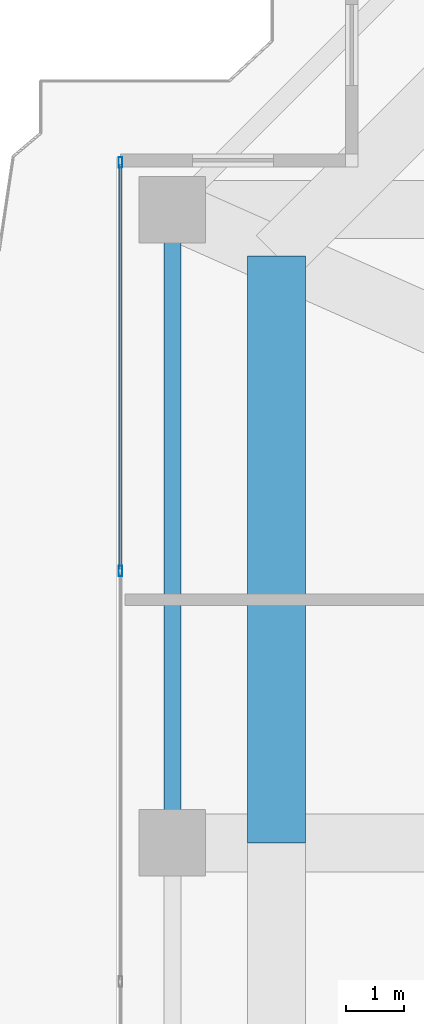
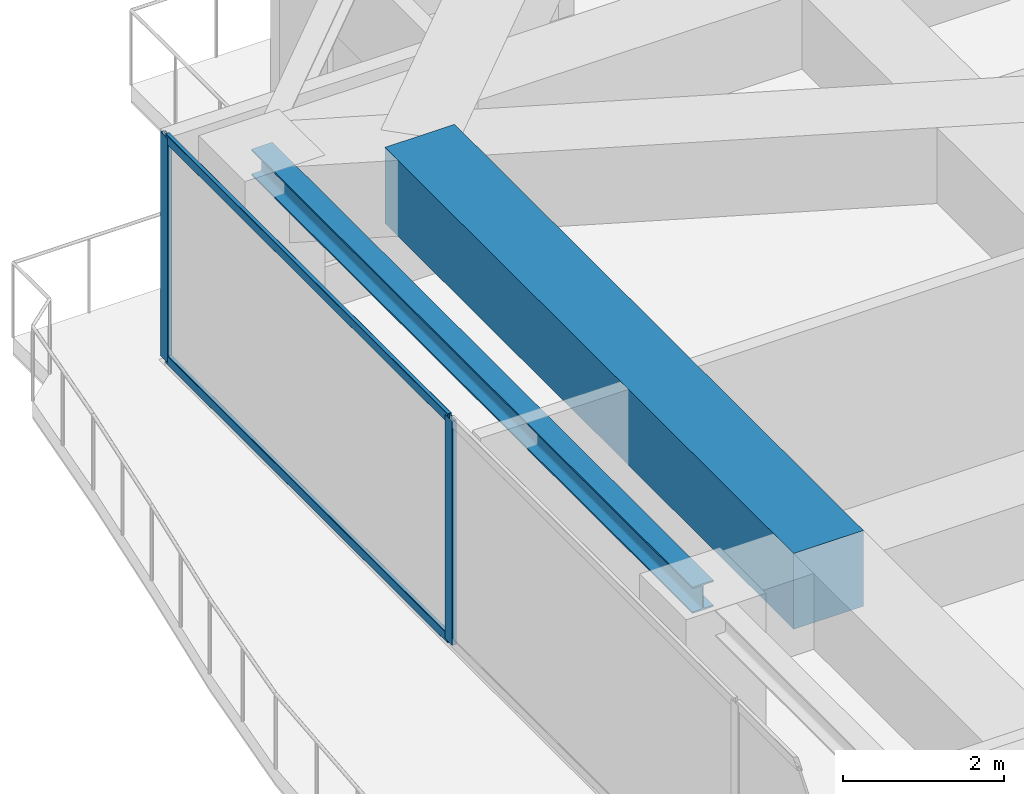
# One storey, part 20 of 39: 4 members, 2 beams, 1 element without a shape of its own.
"""IFC4 building model written with IfcOpenShell, lengths in metres."""

from ifc_helpers import new_model, si_unit, direction, frame, origin, origin_2d, place, context, subcontext, project, spatial, rectangle, hollow_rectangle, i_section, extrude, source, transform, mapped, material, layer, layer_set, material_profile, profile_set, type_object, element, aggregate, save


model = new_model("IFC4")

# Units and contexts
model_context = context("Model", 3, precision=1e-05, world=origin(), true_north=direction((0.0, 1.0)))
body_context = subcontext(model_context, "Body", "Model", "MODEL_VIEW")
ifc_project = project(units=[si_unit("LENGTHUNIT", "METRE"), si_unit("AREAUNIT", "SQUARE_METRE"), si_unit("VOLUMEUNIT", "CUBIC_METRE"), si_unit("PLANEANGLEUNIT", "RADIAN"), si_unit("MASSUNIT", "GRAM", prefix="KILO")], contexts=[model_context])

# Site, building, storey
site_placement = place(None, origin())
site = spatial("IfcSite", under=ifc_project, at=site_placement, CompositionType="ELEMENT")
building_placement = place(site_placement, origin())
building = spatial("IfcBuilding", under=site, at=building_placement, Name="Serunith Strait Residences", CompositionType="ELEMENT")
storey_placement = place(building_placement, frame((0.0, 0.0, 283.60009765625)))
storey = spatial("IfcBuildingStorey", under=building, at=storey_placement, Name="L71", CompositionType="ELEMENT", Elevation=283.60009765625)

# Beams
ifc_material_1 = material(Name="Steel S355J2", Category="steel")
ifc_material_profile_1 = material_profile(ifc_material_1, i_section(OverallWidth=0.300048828125, OverallDepth=0.39990234375, WebThickness=0.013427734375, FlangeThickness=0.02392578125, FilletRadius=0.027099609375, at=origin_2d()), Name="HEB 400")
ifc_profile_set_1 = profile_set([ifc_material_profile_1], Name="Steel S355J2")
beam_type_1 = type_object("IfcBeamType", Name="BM-HEB400", PredefinedType="BEAM", material=ifc_profile_set_1)
shared_shape_1 = source(origin(), body_context, "Body", "SweptSolid", [
    extrude(i_section(OverallWidth=0.300048828125, OverallDepth=0.39990234375, WebThickness=0.013427734375, FlangeThickness=0.02392578125, FilletRadius=0.027099609375, at=origin_2d()), origin(), (0.0, 0.0, 1.0), 10.9501953125),
])
beam_1_placement = place(storey_placement, frame((8.300048828125, 40.35009765625, 3.206787109375), z_axis=(0.0, -1.0, 0.0), x_axis=(1.0, 0.0, 0.0)))
element("IfcBeam", 1, at=beam_1_placement, inside=storey, type_object=beam_type_1, Name="L71 Perimeter Ring Beam 13", PredefinedType="BEAM", context=body_context, shape_type="MappedRepresentation", body=[
    mapped(shared_shape_1, transform((0.0, 0.0, 0.0), scale=1.0)),
])
ifc_material_2 = material(Name="Concrete C80/95", Category="concrete")
ifc_material_profile_2 = material_profile(ifc_material_2, rectangle(XDim=1.0, YDim=1.14990234375, at=origin_2d()), Name="RC 1000x1150")
ifc_profile_set_2 = profile_set([ifc_material_profile_2], Name="Concrete C80/95")
beam_type_2 = type_object("IfcBeamType", Name="BM-XFER-1000x1150", PredefinedType="BEAM", material=ifc_profile_set_2)
shared_shape_2 = source(origin(), body_context, "Body", "SweptSolid", [
    extrude(rectangle(XDim=1.0, YDim=1.14990234375, at=origin_2d()), origin(), (0.0, 0.0, 1.0), 10.150146484375),
])
beam_2_placement = place(storey_placement, frame((10.10009765625, 39.550048828125, 2.8349609375), z_axis=(0.0, -1.0, 0.0), x_axis=(1.0, 0.0, 0.0)))
element("IfcBeam", 2, at=beam_2_placement, inside=storey, type_object=beam_type_2, Name="L71 Flare Upper Ring Transfer Girder 13", PredefinedType="BEAM", context=body_context, shape_type="MappedRepresentation", body=[
    mapped(shared_shape_2, transform((0.0, 0.0, 0.0), scale=1.0)),
])

# Curtain wall, members
ifc_material_3 = material(Name="Pale-Champagne Anodised Aluminium", Category="aluminium")
ifc_layer = layer(ifc_material_3, 0.199951171875, Name="Pale-Champagne Anodised Aluminium")
ifc_layer_set = layer_set([ifc_layer], Name="Pale-Champagne Anodised Aluminium")
curtain_wall_type = type_object("IfcCurtainWallType", Name="CW-SYS4", PredefinedType="NOTDEFINED", material=ifc_layer_set)
curtain_wall_placement = place(storey_placement, origin())
curtain_wall = element("IfcCurtainWall", 3, at=curtain_wall_placement, inside=storey, type_object=curtain_wall_type, Name="L71 W Unitised Fritted Curtain Wall", PredefinedType="NOTDEFINED")
ifc_material_profile_3 = material_profile(ifc_material_3, hollow_rectangle(XDim=0.06005859375, YDim=0.139892578125, WallThickness=0.00341796875, InnerFilletRadius=0.00537109375, OuterFilletRadius=0.0087890625, at=origin_2d()), Name="ALU 140x60x3.5")
ifc_profile_set_3 = profile_set([ifc_material_profile_3], Name="Pale-Champagne Anodised Aluminium")
member_type_1 = type_object("IfcMemberType", Name="CW-SYS4-TRAN", PredefinedType="USERDEFINED", material=ifc_profile_set_3)
shared_shape_3 = source(origin(), body_context, "Body", "SweptSolid", [
    extrude(hollow_rectangle(XDim=0.06005859375, YDim=0.139892578125, WallThickness=0.00341796875, InnerFilletRadius=0.00537109375, OuterFilletRadius=0.0087890625, at=origin_2d()), origin(), (0.0, 0.0, 1.0), 7.00244140625),
])
member_1_placement = place(storey_placement, frame((7.39990234375, 41.135009765625, 0.02978515625), z_axis=(0.0, -1.0, 0.0), x_axis=(1.0, 0.0, 0.0)))
member_1 = element("IfcMember", 4, at=member_1_placement, type_object=member_type_1, Name="CW-4 transom 1.1", ObjectType="TRANSOM", PredefinedType="USERDEFINED", context=body_context, shape_type="MappedRepresentation", body=[
    mapped(shared_shape_3, transform((0.0, 0.0, 0.0), scale=1.0)),
])
member_2_placement = place(storey_placement, frame((7.39990234375, 41.135009765625, 3.364990234375), z_axis=(0.0, -1.0, 0.0), x_axis=(1.0, 0.0, 0.0)))
member_2 = element("IfcMember", 5, at=member_2_placement, type_object=member_type_1, Name="CW-4 transom 1.2", ObjectType="TRANSOM", PredefinedType="USERDEFINED", context=body_context, shape_type="MappedRepresentation", body=[
    mapped(shared_shape_3, transform((0.0, 0.0, 0.0), scale=1.0)),
])
ifc_material_profile_4 = material_profile(ifc_material_3, hollow_rectangle(XDim=0.06494140625, YDim=0.179931640625, WallThickness=0.00341796875, InnerFilletRadius=0.00537109375, OuterFilletRadius=0.0087890625, at=origin_2d()), Name="ALU 180x65x3.5")
ifc_profile_set_4 = profile_set([ifc_material_profile_4], Name="Pale-Champagne Anodised Aluminium")
member_type_2 = type_object("IfcMemberType", Name="CW-SYS4-MULL", PredefinedType="MULLION", material=ifc_profile_set_4)
shared_shape_4 = source(origin(), body_context, "Body", "SweptSolid", [
    extrude(hollow_rectangle(XDim=0.06494140625, YDim=0.179931640625, WallThickness=0.00341796875, InnerFilletRadius=0.00537109375, OuterFilletRadius=0.0087890625, at=origin_2d()), origin(), (0.0, 0.0, 1.0), 3.39501953125),
])
member_3_placement = place(storey_placement, frame((7.39990234375, 41.16748046875, 0.0), z_axis=(0.0, 0.0, 1.0), x_axis=(1.0, 0.0, 0.0)))
member_3 = element("IfcMember", 6, at=member_3_placement, type_object=member_type_2, Name="CW-4 mullion 1", PredefinedType="MULLION", context=body_context, shape_type="MappedRepresentation", body=[
    mapped(shared_shape_4, transform((0.0, 0.0, 0.0), scale=1.0)),
])
member_4_placement = place(storey_placement, frame((7.39990234375, 34.10009765625, 0.0), z_axis=(0.0, 0.0, 1.0), x_axis=(1.0, 0.0, 0.0)))
member_4 = element("IfcMember", 7, at=member_4_placement, type_object=member_type_2, Name="CW-4 mullion 2", PredefinedType="MULLION", context=body_context, shape_type="MappedRepresentation", body=[
    mapped(shared_shape_4, transform((0.0, 0.0, 0.0), scale=1.0)),
])
aggregate(curtain_wall, [member_3, member_4, member_1, member_2])

save(model, "model.ifc")
